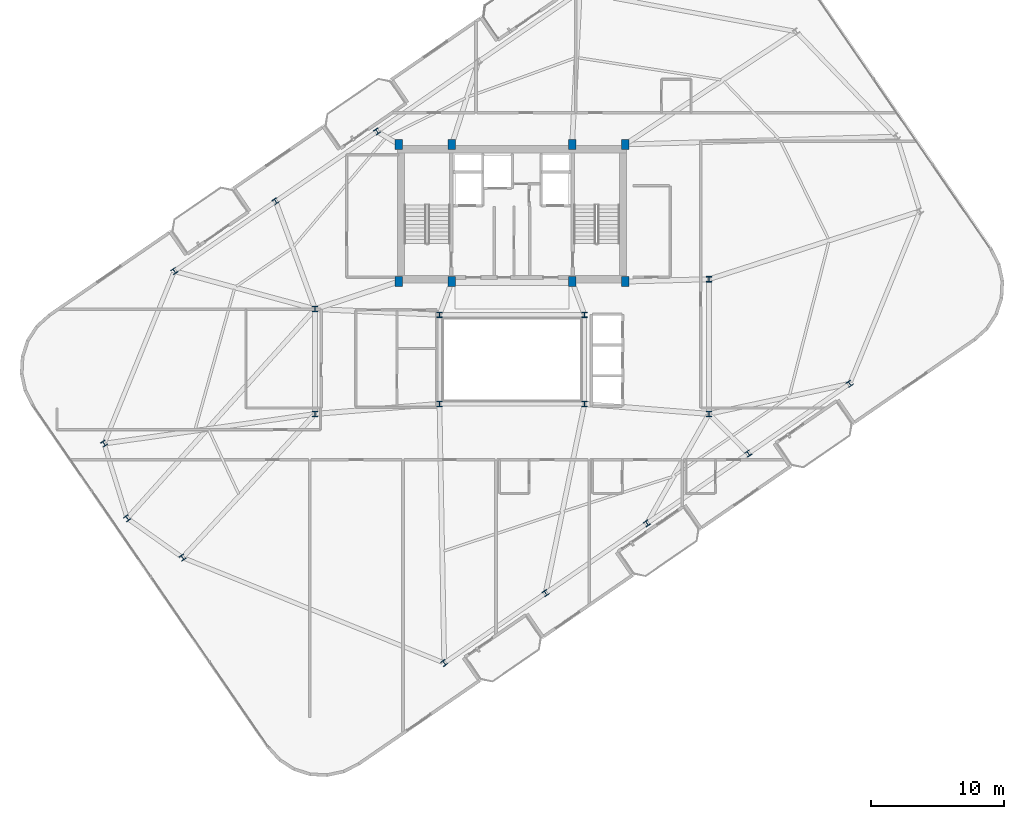
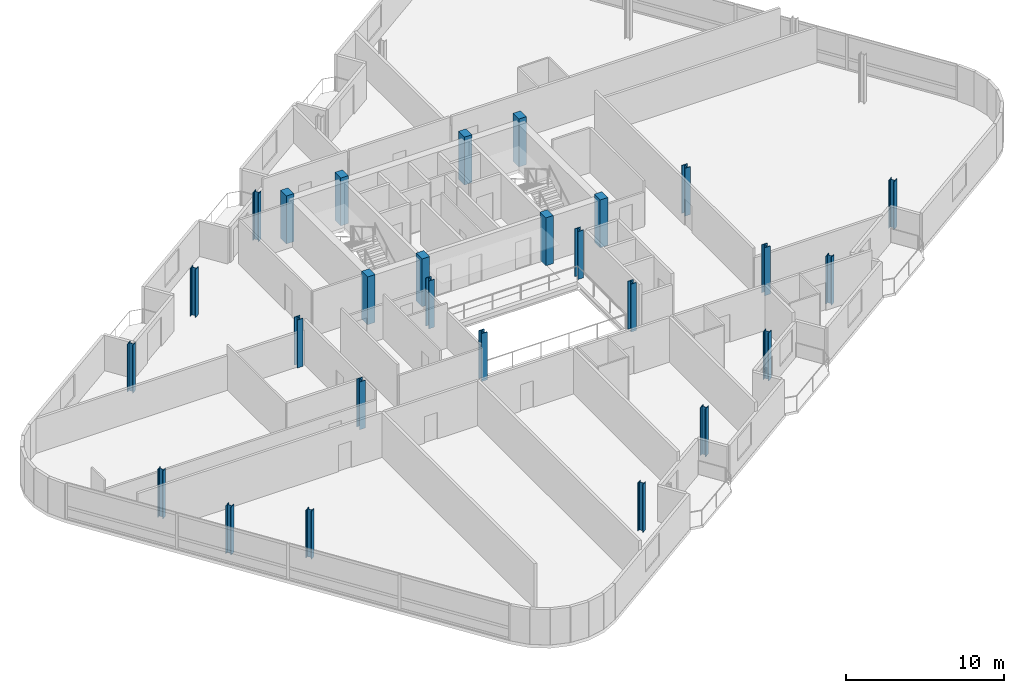
# One storey, part 1 of 21: 27 columns.
"""IFC4 building model written with IfcOpenShell, lengths in metres."""

from ifc_helpers import new_model, si_unit, direction, frame, origin, origin_2d, place, context, subcontext, project, spatial, rectangle, i_section, extrude, material, material_profile, profile_set, type_object, element, save


model = new_model("IFC4")

# Units and contexts
model_context = context("Model", 3, precision=1e-05, world=origin(), true_north=direction((0.0, 1.0)))
body_context = subcontext(model_context, "Body", "Model", "MODEL_VIEW")
ifc_project = project(units=[si_unit("LENGTHUNIT", "METRE"), si_unit("AREAUNIT", "SQUARE_METRE"), si_unit("VOLUMEUNIT", "CUBIC_METRE"), si_unit("PLANEANGLEUNIT", "RADIAN"), si_unit("MASSUNIT", "GRAM", prefix="KILO")], contexts=[model_context])

# Site, building, storey
site_placement = place(None, origin())
site = spatial("IfcSite", under=ifc_project, at=site_placement, CompositionType="ELEMENT")
building_placement = place(site_placement, origin())
building = spatial("IfcBuilding", under=site, at=building_placement, Name="Varnelok Gate Tower", CompositionType="ELEMENT")
storey_placement = place(building_placement, frame((0.0, 0.0, 265.60009765625)))
storey = spatial("IfcBuildingStorey", under=building, at=storey_placement, Name="L68", CompositionType="ELEMENT", Elevation=265.60009765625)

# Columns
ifc_material_1 = material(Name="Concrete C50/60", Category="concrete")
ifc_material_profile_1 = material_profile(ifc_material_1, rectangle(XDim=0.550048828125, YDim=0.75, at=origin_2d()), Name="RC750X550")
ifc_profile_set_1 = profile_set([ifc_material_profile_1], Name="Concrete C50/60")
column_type_1 = type_object("IfcColumnType", Name="COL-RC750X550", PredefinedType="COLUMN", material=ifc_profile_set_1)
for number, where, z_axis, x_axis, name in (
    (1, (30.699951171875, 28.75, 0.0), (0.0, 0.0, 1.0), (1.0, 0.0, 0.0), "L68 Core Spine Column SC1"),
    (2, (34.679931640625, 28.75, 0.0), (0.0, 0.0, 1.0), (1.0, 0.0, 0.0), "L68 Core Spine Column SC2"),
    (3, (43.719970703125, 28.75, 0.0), (0.0, 0.0, 1.0), (1.0, 0.0, 0.0), "L68 Core Spine Column SC3"),
    (4, (47.699951171875, 28.75, 0.0), (0.0, 0.0, 1.0), (1.0, 0.0, 0.0), "L68 Core Spine Column SC4"),
    (5, (30.699951171875, 39.050048828125, 0.0), (0.0, 0.0, 1.0), (1.0, 0.0, 0.0), "L68 Core Spine Column SC5"),
    (6, (34.679931640625, 39.050048828125, 0.0), (0.0, 0.0, 1.0), (1.0, 0.0, 0.0), "L68 Core Spine Column SC6"),
    (7, (43.719970703125, 39.050048828125, 0.0), (0.0, 0.0, 1.0), (1.0, 0.0, 0.0), "L68 Core Spine Column SC7"),
    (8, (47.699951171875, 39.050048828125, 0.0), (0.0, 0.0, 1.0), (1.0, 0.0, 0.0), "L68 Core Spine Column SC8"),
):
    element("IfcColumn", number, at=place(storey_placement, frame(where, z_axis=z_axis, x_axis=x_axis)), inside=storey, type_object=column_type_1, Name=name, PredefinedType="COLUMN", context=body_context, shape_type="SweptSolid", body=[
        extrude(rectangle(XDim=0.550048828125, YDim=0.75, at=origin_2d()), origin(), (0.0, 0.0, 1.0), 3.699951171875),
    ])
ifc_material_2 = material(Name="Structural Steel ASTM A992 Grade 50", Category="steel")
ifc_material_profile_2 = material_profile(ifc_material_2, i_section(OverallWidth=0.40087890625, OverallDepth=0.39892578125, WebThickness=0.02490234375, FlangeThickness=0.03955078125, FilletRadius=0.02197265625, at=origin_2d()), Name="W14X211")
ifc_profile_set_2 = profile_set([ifc_material_profile_2], Name="Structural Steel ASTM A992 Grade 50")
column_type_2 = type_object("IfcColumnType", Name="COL-W14X211", PredefinedType="COLUMN", material=ifc_profile_set_2)
for number, where, z_axis, x_axis, name in (
    (9, (34.107421875, 0.080810546875, 0.0), (0.0, 0.0, 1.0), (0.823532597628, 0.567268949127, 0.0), "L68 B6 Perimeter Column PC01"),
    (10, (41.72509765625, 5.327880859375, 0.0), (0.0, 0.0, 1.0), (0.823532597628, 0.567268949127, 0.0), "L68 B6 Perimeter Column PC02"),
    (11, (49.3427734375, 10.5751953125, 0.0), (0.0, 0.0, 1.0), (0.823532597628, 0.567268949127, 0.0), "L68 B6 Perimeter Column PC03"),
    (12, (56.96044921875, 15.822509765625, 0.0), (0.0, 0.0, 1.0), (0.823532597628, 0.567268949127, 0.0), "L68 B6 Perimeter Column PC04"),
    (13, (64.578125, 21.069580078125, 0.0), (0.0, 0.0, 1.0), (0.823532597628, 0.567268949127, 0.0), "L68 B6 Perimeter Column PC05"),
    (14, (29.05712890625, 40.02490234375, 0.0), (0.0, 0.0, 1.0), (0.823532597628, 0.567268949127, 0.0), "L68 B6 Perimeter Column PC11"),
    (15, (21.439697265625, 34.777587890625, 0.0), (0.0, 0.0, 1.0), (0.823532597628, 0.567268949127, 0.0), "L68 B6 Perimeter Column PC12"),
    (16, (13.822021484375, 29.5302734375, 0.0), (0.0, 0.0, 1.0), (0.823532597628, 0.567268949127, 0.0), "L68 B6 Perimeter Column PC13"),
    (17, (8.543212890625, 16.568603515625, 0.0), (0.0, 0.0, 1.0), (0.823532597628, 0.567268949127, 0.0), "L68 B6 Perimeter Column PC14"),
    (18, (10.284423828125, 10.955810546875, 0.0), (0.0, 0.0, 1.0), (0.823532597628, 0.567268949127, 0.0), "L68 B6 Perimeter Column PC15"),
    (19, (14.44287109375, 8.00390625, 0.0), (0.0, 0.0, 1.0), (0.823532597628, 0.567268949127, 0.0), "L68 B6 Perimeter Column PC16"),
):
    element("IfcColumn", number, at=place(storey_placement, frame(where, z_axis=z_axis, x_axis=x_axis)), inside=storey, type_object=column_type_2, Name=name, PredefinedType="COLUMN", context=body_context, shape_type="SweptSolid", body=[
        extrude(i_section(OverallWidth=0.40087890625, OverallDepth=0.39892578125, WebThickness=0.02490234375, FlangeThickness=0.03955078125, FilletRadius=0.02197265625, at=origin_2d()), origin(), (0.0, 0.0, 1.0), 3.699951171875),
    ])
ifc_material_profile_3 = material_profile(ifc_material_2, i_section(OverallWidth=0.406005859375, OverallDepth=0.416015625, WebThickness=0.02978515625, FlangeThickness=0.048095703125, FilletRadius=0.02490234375, at=origin_2d()), Name="W14X257")
ifc_profile_set_3 = profile_set([ifc_material_profile_3], Name="Structural Steel ASTM A992 Grade 50")
column_type_3 = type_object("IfcColumnType", Name="COL-W14X257", PredefinedType="COLUMN", material=ifc_profile_set_3)
for number, where, z_axis, x_axis, name in (
    (20, (33.75, 19.550048828125, 0.0), (0.0, 0.0, 1.0), (1.0, 0.0, 0.0), "L68 Atrium Spine Column AC1"),
    (21, (44.64990234375, 19.550048828125, 0.0), (0.0, 0.0, 1.0), (1.0, 0.0, 0.0), "L68 Atrium Spine Column AC2"),
    (22, (33.75, 26.25, 0.0), (0.0, 0.0, 1.0), (1.0, 0.0, 0.0), "L68 Atrium Spine Column AC3"),
    (23, (44.64990234375, 26.25, 0.0), (0.0, 0.0, 1.0), (1.0, 0.0, 0.0), "L68 Atrium Spine Column AC4"),
    (24, (24.39990234375, 18.800048828125, 0.0), (0.0, 0.0, 1.0), (1.0, 0.0, 0.0), "L68 Wing Spine Column WS1"),
    (25, (24.39990234375, 26.679931640625, 0.0), (0.0, 0.0, 1.0), (1.0, 0.0, 0.0), "L68 Wing Spine Column WS2"),
    (26, (54.0, 18.800048828125, 0.0), (0.0, 0.0, 1.0), (1.0, 0.0, 0.0), "L68 Wing Spine Column ES1"),
    (27, (54.0, 28.919921875, 0.0), (0.0, 0.0, 1.0), (1.0, 0.0, 0.0), "L68 Wing Spine Column ES2"),
):
    element("IfcColumn", number, at=place(storey_placement, frame(where, z_axis=z_axis, x_axis=x_axis)), inside=storey, type_object=column_type_3, Name=name, PredefinedType="COLUMN", context=body_context, shape_type="SweptSolid", body=[
        extrude(i_section(OverallWidth=0.406005859375, OverallDepth=0.416015625, WebThickness=0.02978515625, FlangeThickness=0.048095703125, FilletRadius=0.02490234375, at=origin_2d()), origin(), (0.0, 0.0, 1.0), 3.699951171875),
    ])

save(model, "model.ifc")
